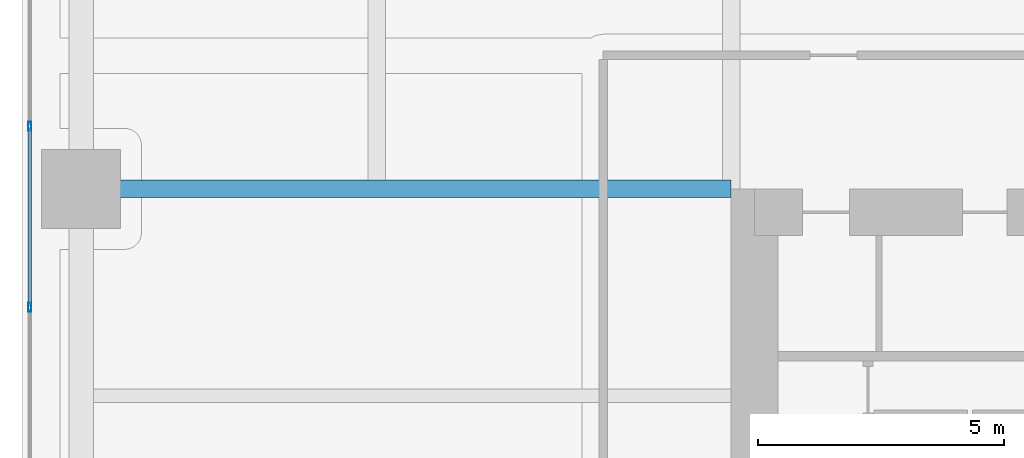
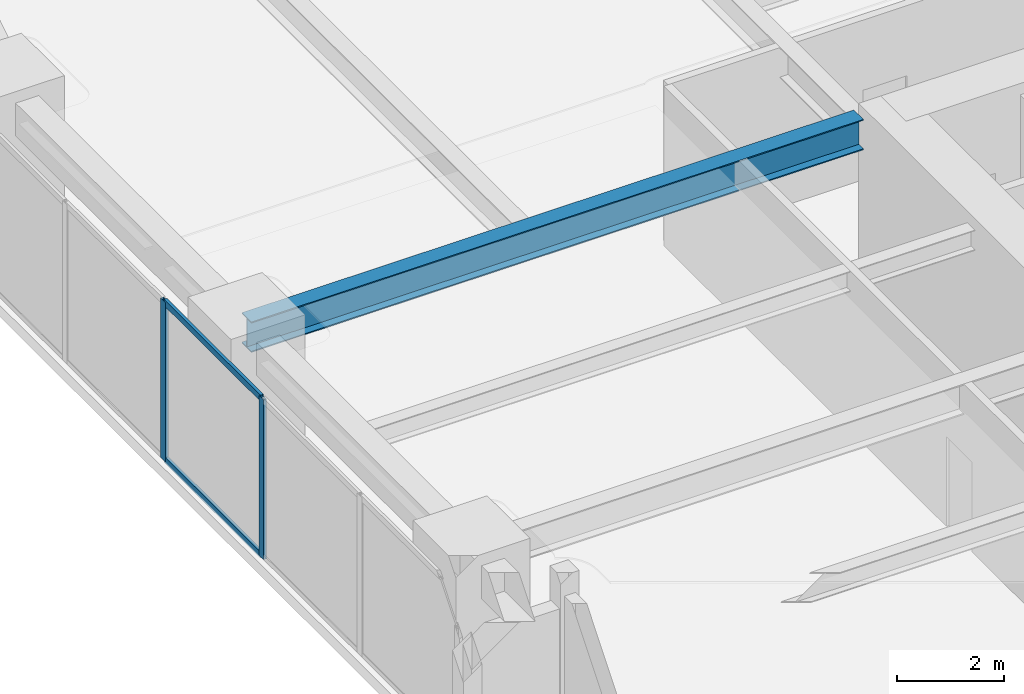
# One storey, part 11 of 29: 4 members, 1 beam, 1 element without a shape of its own.
"""IFC4 building model written with IfcOpenShell, lengths in metres."""

from ifc_helpers import new_model, si_unit, direction, frame, origin, origin_2d, place, context, subcontext, project, spatial, hollow_rectangle, i_section, extrude, material, layer, layer_set, material_profile, profile_set, type_object, element, aggregate, save


model = new_model("IFC4")

# Units and contexts
model_context = context("Model", 3, precision=1e-05, world=origin(), true_north=direction((0.0, 1.0)))
body_context = subcontext(model_context, "Body", "Model", "MODEL_VIEW")
ifc_project = project(units=[si_unit("LENGTHUNIT", "METRE"), si_unit("AREAUNIT", "SQUARE_METRE"), si_unit("VOLUMEUNIT", "CUBIC_METRE"), si_unit("PLANEANGLEUNIT", "RADIAN"), si_unit("MASSUNIT", "GRAM", prefix="KILO")], contexts=[model_context])

# Site, building, storey
site_placement = place(None, origin())
site = spatial("IfcSite", under=ifc_project, at=site_placement, CompositionType="ELEMENT")
building_placement = place(site_placement, origin())
building = spatial("IfcBuilding", under=site, at=building_placement, Name="Kiyonajd Concourse Tower", CompositionType="ELEMENT")
storey_placement = place(building_placement, frame((0.0, 0.0, 45.0)))
storey = spatial("IfcBuildingStorey", under=building, at=storey_placement, Name="L12", CompositionType="ELEMENT", Elevation=45.0)

# Beam
ifc_material_1 = material(Name="Steel ASTM A992 Grade 50", Category="steel")
ifc_material_profile_1 = material_profile(ifc_material_1, i_section(OverallWidth=0.35498046875, OverallDepth=0.695068359375, WebThickness=0.015380859375, FlangeThickness=0.02490234375, at=origin_2d()), Name="W690X217")
ifc_profile_set_1 = profile_set([ifc_material_profile_1], Name="Steel ASTM A992 Grade 50")
beam_type = type_object("IfcBeamType", Name="BM-TWR-690", PredefinedType="BEAM", material=ifc_profile_set_1)
beam_placement = place(storey_placement, frame((19.199951171875, 44.39990234375, 3.29248046875), z_axis=(1.0, 0.0, 0.0), x_axis=(0.0, 1.0, 0.0)))
element("IfcBeam", 1, at=beam_placement, inside=storey, type_object=beam_type, Name="L12 West Lease Girder", PredefinedType="BEAM", context=body_context, shape_type="SweptSolid", body=[
    extrude(i_section(OverallWidth=0.35498046875, OverallDepth=0.695068359375, WebThickness=0.015380859375, FlangeThickness=0.02490234375, at=origin_2d()), origin(), (0.0, 0.0, 1.0), 13.199951171875),
])

# Curtain wall, members
ifc_material_2 = material(Name="Thermally Broken Anodised Aluminium", Category="aluminium")
ifc_layer = layer(ifc_material_2, 0.179931640625)
ifc_layer_set = layer_set([ifc_layer], Name="Thermally Broken Anodised Aluminium")
curtain_wall_type = type_object("IfcCurtainWallType", Name="CW-SYS-02", PredefinedType="NOTDEFINED", material=ifc_layer_set)
curtain_wall_placement = place(storey_placement, origin())
curtain_wall = element("IfcCurtainWall", 2, at=curtain_wall_placement, inside=storey, type_object=curtain_wall_type, Name="L12 Unitised Curtain Wall CW2", PredefinedType="NOTDEFINED")
ifc_material_profile_2 = material_profile(ifc_material_2, hollow_rectangle(XDim=0.06494140625, YDim=0.179931640625, WallThickness=0.00390625, at=origin_2d()), Name="MULL-65x180")
ifc_profile_set_2 = profile_set([ifc_material_profile_2], Name="Thermally Broken Anodised Aluminium")
member_type_1 = type_object("IfcMemberType", Name="MB-CW-MULL1", PredefinedType="MULLION", material=ifc_profile_set_2)
member_1_placement = place(storey_placement, frame((18.159912109375, 41.996337890625, 0.0), z_axis=(0.0, 0.0, 1.0), x_axis=(-1.0, 0.0, 0.0)))
member_1 = element("IfcMember", 3, at=member_1_placement, type_object=member_type_1, Name="CW2 mullion 3", PredefinedType="MULLION", context=body_context, shape_type="SweptSolid", body=[
    extrude(hollow_rectangle(XDim=0.06494140625, YDim=0.179931640625, WallThickness=0.00390625, at=origin_2d()), origin(), (0.0, 0.0, 1.0), 3.639892578125),
])
member_2_placement = place(storey_placement, frame((18.159912109375, 45.66943359375, 0.0), z_axis=(0.0, 0.0, 1.0), x_axis=(-1.0, 0.0, 0.0)))
member_2 = element("IfcMember", 4, at=member_2_placement, type_object=member_type_1, Name="CW2 mullion 4", PredefinedType="MULLION", context=body_context, shape_type="SweptSolid", body=[
    extrude(hollow_rectangle(XDim=0.06494140625, YDim=0.179931640625, WallThickness=0.00390625, at=origin_2d()), origin(), (0.0, 0.0, 1.0), 3.639892578125),
])
ifc_material_profile_3 = material_profile(ifc_material_2, hollow_rectangle(XDim=0.06494140625, YDim=0.139892578125, WallThickness=0.00390625, at=origin_2d()), Name="TRAN-65x140")
ifc_profile_set_3 = profile_set([ifc_material_profile_3], Name="Thermally Broken Anodised Aluminium")
member_type_2 = type_object("IfcMemberType", Name="MB-CW-TRAN1", PredefinedType="USERDEFINED", material=ifc_profile_set_3)
member_3_placement = place(storey_placement, frame((18.159912109375, 42.02880859375, 0.032470703125), z_axis=(0.0, 1.0, 0.0), x_axis=(-1.0, 0.0, 0.0)))
member_3 = element("IfcMember", 5, at=member_3_placement, type_object=member_type_2, Name="CW2 transom 3.1", ObjectType="TRANSOM", PredefinedType="USERDEFINED", context=body_context, shape_type="SweptSolid", body=[
    extrude(hollow_rectangle(XDim=0.06494140625, YDim=0.139892578125, WallThickness=0.00390625, at=origin_2d()), origin(), (0.0, 0.0, 1.0), 3.608154296875),
])
member_4_placement = place(storey_placement, frame((18.159912109375, 42.02880859375, 3.607421875), z_axis=(0.0, 1.0, 0.0), x_axis=(-1.0, 0.0, 0.0)))
member_4 = element("IfcMember", 6, at=member_4_placement, type_object=member_type_2, Name="CW2 transom 3.2", ObjectType="TRANSOM", PredefinedType="USERDEFINED", context=body_context, shape_type="SweptSolid", body=[
    extrude(hollow_rectangle(XDim=0.06494140625, YDim=0.139892578125, WallThickness=0.00390625, at=origin_2d()), origin(), (0.0, 0.0, 1.0), 3.608154296875),
])
aggregate(curtain_wall, [member_1, member_2, member_3, member_4])

save(model, "model.ifc")
